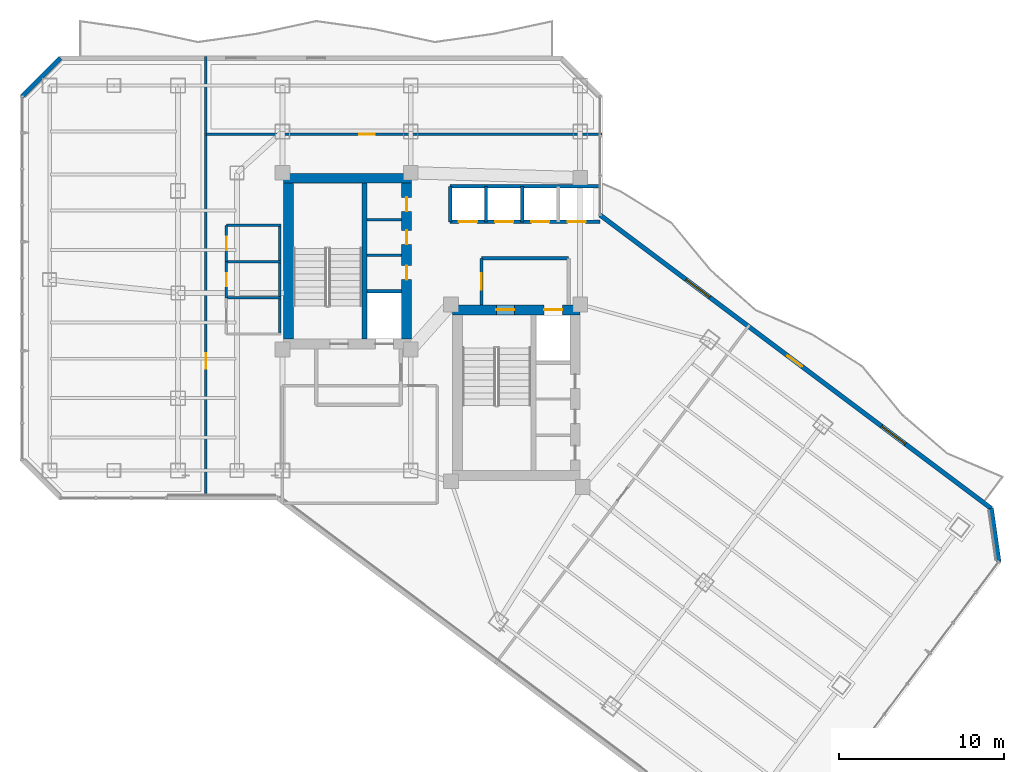
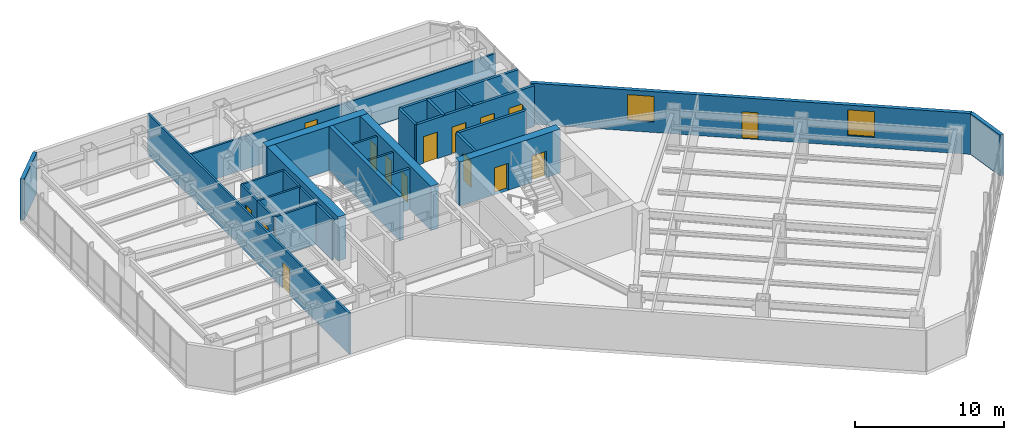
# One storey, part 23 of 29: 26 walls, 15 doors, 2 windows, 17 openings.
"""IFC4 building model written with IfcOpenShell, lengths in metres."""

import ifcopenshell
import ifcopenshell.guid

model = None  # the IFC model being written
_history = None  # IfcOwnerHistory: only IFC2X3 demands one
_inside = {}  # id of a spatial element -> (the spatial element, [elements in it])
_under = {}  # id of a project, library or spatial element -> (it, [spatial elements below it])
_declared = {}  # id of a project -> (the project, [libraries it declares])
_typed = {}  # id of a type object -> (the type object, [elements of that type])
_made_of = {}  # id of a material, layer set ... -> (it, [elements and type objects made of it])


def new_model(schema):
    """Start an empty IFC model of exactly this schema.

    Asked for "IFC4X3", IfcOpenShell would pick the latest addendum, in which some entities
    have other attributes; the version numbers below select the first issue.
    IFC2X3 requires an IfcOwnerHistory on every rooted entity: one is made here for all.
    """
    global model, _history
    if schema == "IFC4X3":
        model = ifcopenshell.file(schema_version=(4, 3, 0, 0))
    else:
        model = ifcopenshell.file(schema=schema)
    _inside.clear()
    _under.clear()
    _declared.clear()
    _typed.clear()
    _made_of.clear()
    _history = None
    if model.schema == "IFC2X3":
        org = make("IfcOrganization", Name="unknown")
        user = make(
            "IfcPersonAndOrganization",
            ThePerson=make("IfcPerson", FamilyName="unknown"),
            TheOrganization=org,
        )
        app = make(
            "IfcApplication",
            ApplicationDeveloper=org,
            Version="unknown",
            ApplicationFullName="unknown",
            ApplicationIdentifier="unknown",
        )
        _history = make(
            "IfcOwnerHistory",
            OwningUser=user,
            OwningApplication=app,
            ChangeAction="ADDED",
            CreationDate=0,
        )
    return model


def make(cls, **values):
    """One entity of the class cls with the attributes given. An attribute that is None is left unset."""
    return model.create_entity(
        cls, **{name: value for name, value in values.items() if value is not None}
    )


def rooted(cls, **values):
    """An entity with a GlobalId (a new one), such as an element, a storey or a relation."""
    return make(cls, GlobalId=ifcopenshell.guid.new(), OwnerHistory=_history, **values)


def si_unit(unit_type, name, prefix=None):
    """IfcSIUnit, for example si_unit("LENGTHUNIT", "METRE", prefix="MILLI")."""
    return make("IfcSIUnit", UnitType=unit_type, Prefix=prefix, Name=name)


def assignment(units):
    """IfcUnitAssignment: the units of a project."""
    return None if units is None else make("IfcUnitAssignment", Units=units)


def point(xyz):
    """IfcCartesianPoint."""
    return None if xyz is None else make("IfcCartesianPoint", Coordinates=xyz)


def direction(xyz):
    """IfcDirection."""
    return None if xyz is None else make("IfcDirection", DirectionRatios=xyz)


def frame(location, z_axis=None, x_axis=None):
    """IfcAxis2Placement3D, a coordinate frame: its origin and axes. An axis left out is left unset."""
    return make(
        "IfcAxis2Placement3D",
        Location=point(location),
        Axis=direction(z_axis),
        RefDirection=direction(x_axis),
    )


def frame_2d(location, x_axis=None):
    """IfcAxis2Placement2D, a coordinate frame in the plane: its origin and x axis."""
    return make(
        "IfcAxis2Placement2D", Location=point(location), RefDirection=direction(x_axis)
    )


def origin():
    """The frame at (0, 0, 0) with its axes left unset."""
    return frame((0.0, 0.0, 0.0))


def place(relative_to, where):
    """IfcLocalPlacement: puts the frame where relative to a parent placement (None: the world)."""
    return make(
        "IfcLocalPlacement", PlacementRelTo=relative_to, RelativePlacement=where
    )


def context(
    kind, dimensions, precision=None, world=None, true_north=None, identifier=None
):
    """IfcGeometricRepresentationContext, for example the 3D "Model" context."""
    return make(
        "IfcGeometricRepresentationContext",
        ContextIdentifier=identifier,
        ContextType=kind,
        CoordinateSpaceDimension=dimensions,
        Precision=precision,
        WorldCoordinateSystem=world,
        TrueNorth=true_north,
    )


def subcontext(parent, identifier, kind, view, scale=None):
    """IfcGeometricRepresentationSubContext, for example "Body" below "Model"."""
    return make(
        "IfcGeometricRepresentationSubContext",
        ContextIdentifier=identifier,
        ContextType=kind,
        ParentContext=parent,
        TargetScale=scale,
        TargetView=view,
    )


def project(units=None, contexts=None):
    """IfcProject with its units and contexts."""
    return rooted(
        "IfcProject",
        Name="project",
        RepresentationContexts=contexts,
        UnitsInContext=assignment(units),
    )


def spatial(cls, under=None, at=None, **own):
    """A site, building, storey or space (cls), placed at a placement, below another one or the project."""
    s = rooted(cls, ObjectPlacement=at, **own)
    if under is not None:
        _under.setdefault(under.id(), (under, []))[1].append(s)
    return s


def profile(cls, at=None, kind="AREA", **sizes):
    """A parametric profile (cls). Its sizes go by their IFC names, for example OverallWidth=200.0."""
    return make(cls, ProfileType=kind, Position=at, **sizes)


def rectangle(**sizes):
    """IfcRectangleProfileDef."""
    return profile("IfcRectangleProfileDef", **sizes)


def extrude(swept, where, along, depth):
    """IfcExtrudedAreaSolid: the profile swept, set in the frame where, extruded along a direction by depth."""
    return make(
        "IfcExtrudedAreaSolid",
        SweptArea=swept,
        Position=where,
        ExtrudedDirection=direction(along),
        Depth=depth,
    )


def shape(context_of_items, identifier, shape_type, items):
    """IfcShapeRepresentation: the items that make up one representation, for example the "Body"."""
    return make(
        "IfcShapeRepresentation",
        ContextOfItems=context_of_items,
        RepresentationIdentifier=identifier,
        RepresentationType=shape_type,
        Items=items,
    )


def material(Name=None, Category=None):
    """IfcMaterial."""
    return make("IfcMaterial", Name=Name, Category=Category)


def layer(
    of_material, thickness, ventilated=None, Name=None, Category=None, Priority=None
):
    """IfcMaterialLayer: one layer of a wall or slab, of a material (None: an air gap)."""
    return make(
        "IfcMaterialLayer",
        Material=of_material,
        LayerThickness=thickness,
        IsVentilated=ventilated,
        Name=Name,
        Category=Category,
        Priority=Priority,
    )


def layer_set(layers, Name=None):
    """IfcMaterialLayerSet."""
    return make("IfcMaterialLayerSet", MaterialLayers=layers, LayerSetName=Name)


def made_of(thing, what):
    """Note that an element or type object is made of a material, layer set ...; save() writes the relation."""
    if what is not None:
        _made_of.setdefault(what.id(), (what, []))[1].append(thing)
    return thing


def type_object(cls, material=None, **own):
    """A type object (cls), such as IfcWallType, which elements share."""
    return made_of(rooted(cls, **own), material)


def element(
    cls,
    number,
    at=None,
    inside=None,
    cuts=None,
    type_object=None,
    material=None,
    context=None,
    identifier="Body",
    shape_type=None,
    held_by="IfcProductDefinitionShape",
    body=None,
    shapes=None,
    **own,
):
    """One element of the class cls, such as IfcWall. Its Tag is "e" and its number.

    at: its placement. inside: the storey or other place that contains it. cuts: it is an
    opening in that element (IfcRelVoidsElement). A single representation is given by context,
    identifier, shape_type and body (its items); several are given by shapes. held_by: the class
    of the entity that holds the representations. save() writes the other relations.
    """
    e = rooted(cls, Tag="e%d" % number, ObjectPlacement=at, **own)
    if body is not None:
        shapes = [shape(context, identifier, shape_type, body)]
    if shapes is not None:
        e.Representation = make(held_by, Representations=shapes)
    if inside is not None:
        _inside.setdefault(inside.id(), (inside, []))[1].append(e)
    if cuts is not None:
        rooted(
            "IfcRelVoidsElement", RelatingBuildingElement=cuts, RelatedOpeningElement=e
        )
    if type_object is not None:
        _typed.setdefault(type_object.id(), (type_object, []))[1].append(e)
    return made_of(e, material)


def fill(opening, filler):
    """IfcRelFillsElement: the door or window that sits in an opening."""
    return rooted(
        "IfcRelFillsElement",
        RelatingOpeningElement=opening,
        RelatedBuildingElement=filler,
    )


def aggregate(whole, parts):
    """IfcRelAggregates: a whole, such as a stair, and the parts it consists of."""
    return rooted("IfcRelAggregates", RelatingObject=whole, RelatedObjects=parts)


def save(model, path):
    """Write the relations noted so far, then the file.

    IfcRelAggregates (storeys below a building ...), IfcRelContainedInSpatialStructure (elements
    in a storey), IfcRelDefinesByType, IfcRelAssociatesMaterial and IfcRelDeclares: one each for
    every whole, place, type object, material and project.
    """
    for whole, parts in _under.values():
        aggregate(whole, parts)
    for where, things in _inside.values():
        rooted(
            "IfcRelContainedInSpatialStructure",
            RelatedElements=things,
            RelatingStructure=where,
        )
    for kind, things in _typed.values():
        rooted("IfcRelDefinesByType", RelatedObjects=things, RelatingType=kind)
    for what, things in _made_of.values():
        rooted("IfcRelAssociatesMaterial", RelatedObjects=things, RelatingMaterial=what)
    for by, libraries in _declared.values():
        rooted("IfcRelDeclares", RelatingContext=by, RelatedDefinitions=libraries)
    model.write(path)


model = new_model("IFC4")

# Units and contexts
model_context = context("Model", 3, precision=1e-05, world=origin(), true_north=direction((0.0, 1.0)))
body_context = subcontext(model_context, "Body", "Model", "MODEL_VIEW")
ifc_project = project(units=[si_unit("LENGTHUNIT", "METRE"), si_unit("AREAUNIT", "SQUARE_METRE"), si_unit("VOLUMEUNIT", "CUBIC_METRE"), si_unit("PLANEANGLEUNIT", "RADIAN"), si_unit("MASSUNIT", "GRAM", prefix="KILO")], contexts=[model_context])

# Site, building, storey
site_placement = place(None, origin())
site = spatial("IfcSite", under=ifc_project, at=site_placement, CompositionType="ELEMENT")
building_placement = place(site_placement, origin())
building = spatial("IfcBuilding", under=site, at=building_placement, Name="Hatsunagi Terrace Concourse", CompositionType="ELEMENT")
storey_placement = place(building_placement, frame((0.0, 0.0, 126.449951171875)))
storey = spatial("IfcBuildingStorey", under=building, at=storey_placement, Name="L33", CompositionType="ELEMENT", Elevation=126.449951171875)

# Walls
ifc_material_1 = material(Name="Concrete Fc48", Category="concrete")
ifc_layer_1 = layer(ifc_material_1, 0.60009765625)
ifc_layer_set_1 = layer_set([ifc_layer_1], Name="CoreShearWall_Fc48_600")
wall_type_1 = type_object("IfcWallType", Name="CoreShearWall_Fc48_600", PredefinedType="SHEAR", material=ifc_layer_set_1)
wall_1_placement = place(storey_placement, frame((25.6201171875, 42.969970703125, 0.0), z_axis=(0.0, 0.0, 1.0), x_axis=(1.0, 0.0, 0.0)))
element("IfcWall", 1, at=wall_1_placement, inside=storey, type_object=wall_type_1, Name="Core A Shear Wall N L33", PredefinedType="SHEAR", context=body_context, shape_type="SweptSolid", body=[
    extrude(rectangle(XDim=7.77978515625, YDim=0.60009765625, at=frame_2d((3.889892578125, 0.0))), origin(), (0.0, 0.0, 1.0), 3.60009765625),
])
wall_2_placement = place(storey_placement, frame((25.919921875, 33.18994140625, 0.0), z_axis=(0.0, 0.0, 1.0), x_axis=(0.0, 1.0, 0.0)))
element("IfcWall", 2, at=wall_2_placement, inside=storey, type_object=wall_type_1, Name="Core A Shear Wall W L33", PredefinedType="SHEAR", context=body_context, shape_type="SweptSolid", body=[
    extrude(rectangle(XDim=9.47998046875, YDim=0.60009765625, at=frame_2d((4.739990234375, 0.0))), origin(), (0.0, 0.0, 1.0), 3.60009765625),
])

# Wall, openings, doors
wall_3_placement = place(storey_placement, frame((33.10009765625, 33.18994140625, 0.0), z_axis=(0.0, 0.0, 1.0), x_axis=(0.0, 1.0, 0.0)))
wall_3 = element("IfcWall", 3, at=wall_3_placement, inside=storey, type_object=wall_type_1, Name="Core A Shear Wall E L33", PredefinedType="SHEAR", context=body_context, shape_type="SweptSolid", body=[
    extrude(rectangle(XDim=9.47998046875, YDim=0.60009765625, at=frame_2d((4.739990234375, 0.0))), origin(), (0.0, 0.0, 1.0), 3.60009765625),
])
opening_1_placement = place(wall_3_placement, frame((3.610107421875, 0.0, 0.0)))
opening_1 = element("IfcOpeningElement", 4, at=opening_1_placement, cuts=wall_3, Name="Opening DR-085", PredefinedType="OPENING", context=body_context, shape_type="SweptSolid", body=[
    extrude(rectangle(XDim=0.85009765625, YDim=2.080078125, at=frame_2d((0.425048828125, 1.0400390625))), frame((0.0, 0.31005859375, 0.0), z_axis=(0.0, -1.0, 0.0), x_axis=(1.0, 0.0, 0.0)), (0.0, 0.0, 1.0), 0.6201171875),
])
opening_2_placement = place(wall_3_placement, frame((5.760009765625, 0.0, 0.0)))
opening_2 = element("IfcOpeningElement", 5, at=opening_2_placement, cuts=wall_3, Name="Opening DR-085", PredefinedType="OPENING", context=body_context, shape_type="SweptSolid", body=[
    extrude(rectangle(XDim=0.85009765625, YDim=2.080078125, at=frame_2d((0.425048828125, 1.0400390625))), frame((0.0, 0.31005859375, 0.0), z_axis=(0.0, -1.0, 0.0), x_axis=(1.0, 0.0, 0.0)), (0.0, 0.0, 1.0), 0.6201171875),
])
opening_3_placement = place(wall_3_placement, frame((7.760009765625, 0.0, 0.0)))
opening_3 = element("IfcOpeningElement", 6, at=opening_3_placement, cuts=wall_3, Name="Opening DR-085", PredefinedType="OPENING", context=body_context, shape_type="SweptSolid", body=[
    extrude(rectangle(XDim=0.85009765625, YDim=2.080078125, at=frame_2d((0.425048828125, 1.0400390625))), frame((0.0, 0.31005859375, 0.0), z_axis=(0.0, -1.0, 0.0), x_axis=(1.0, 0.0, 0.0)), (0.0, 0.0, 1.0), 0.6201171875),
])
ifc_material_2 = material(Name="Painted steel", Category="steel")
door_type_1 = type_object("IfcDoorType", Name="RiserAccessDoor_EI60_850", OperationType="NOTDEFINED", PredefinedType="DOOR", material=ifc_material_2)
door_1_placement = place(opening_1_placement, origin())
door_1 = element("IfcDoor", 7, at=door_1_placement, inside=storey, type_object=door_type_1, Name="Core A Riser Door L33-1", OperationType="SINGLE_SWING_LEFT", OverallHeight=2.080078125, OverallWidth=0.85009765625, PredefinedType="DOOR", context=body_context, shape_type="SweptSolid", body=[
    extrude(rectangle(XDim=0.85009765625, YDim=2.080078125, at=frame_2d((0.425048828125, 1.0400390625))), frame((0.0, 0.02490234375, 0.0), z_axis=(0.0, -1.0, 0.0), x_axis=(1.0, 0.0, 0.0)), (0.0, 0.0, 1.0), 0.050048828125),
])
fill(opening_1, door_1)
door_2_placement = place(opening_2_placement, origin())
door_2 = element("IfcDoor", 8, at=door_2_placement, inside=storey, type_object=door_type_1, Name="Core A Riser Door L33-2", OperationType="SINGLE_SWING_LEFT", OverallHeight=2.080078125, OverallWidth=0.85009765625, PredefinedType="DOOR", context=body_context, shape_type="SweptSolid", body=[
    extrude(rectangle(XDim=0.85009765625, YDim=2.080078125, at=frame_2d((0.425048828125, 1.0400390625))), frame((0.0, 0.02490234375, 0.0), z_axis=(0.0, -1.0, 0.0), x_axis=(1.0, 0.0, 0.0)), (0.0, 0.0, 1.0), 0.050048828125),
])
fill(opening_2, door_2)
door_3_placement = place(opening_3_placement, origin())
door_3 = element("IfcDoor", 9, at=door_3_placement, inside=storey, type_object=door_type_1, Name="Core A Riser Door L33-3", OperationType="SINGLE_SWING_LEFT", OverallHeight=2.080078125, OverallWidth=0.85009765625, PredefinedType="DOOR", context=body_context, shape_type="SweptSolid", body=[
    extrude(rectangle(XDim=0.85009765625, YDim=2.080078125, at=frame_2d((0.425048828125, 1.0400390625))), frame((0.0, 0.02490234375, 0.0), z_axis=(0.0, -1.0, 0.0), x_axis=(1.0, 0.0, 0.0)), (0.0, 0.0, 1.0), 0.050048828125),
])
fill(opening_3, door_3)

wall_4_placement = place(storey_placement, frame((35.889892578125, 34.969970703125, 0.0), z_axis=(0.0, 0.0, 1.0), x_axis=(1.0, 0.0, 0.0)))
wall_4 = element("IfcWall", 10, at=wall_4_placement, inside=storey, type_object=wall_type_1, Name="Core B Shear Wall N L33", PredefinedType="SHEAR", context=body_context, shape_type="SweptSolid", body=[
    extrude(rectangle(XDim=7.760009765625, YDim=0.60009765625, at=frame_2d((3.8798828125, 0.0))), origin(), (0.0, 0.0, 1.0), 3.60009765625),
])
opening_4_placement = place(wall_4_placement, frame((2.659912109375, 0.0, 0.0)))
opening_4 = element("IfcOpeningElement", 11, at=opening_4_placement, cuts=wall_4, Name="Opening DR-110S", PredefinedType="OPENING", context=body_context, shape_type="SweptSolid", body=[
    extrude(rectangle(XDim=1.10009765625, YDim=2.199951171875, at=frame_2d((0.550048828125, 1.10009765625))), frame((0.0, 0.31005859375, 0.0), z_axis=(0.0, -1.0, 0.0), x_axis=(1.0, 0.0, 0.0)), (0.0, 0.0, 1.0), 0.6201171875),
])
opening_5_placement = place(wall_4_placement, frame((5.56005859375, 0.0, 0.0)))
opening_5 = element("IfcOpeningElement", 12, at=opening_5_placement, cuts=wall_4, Name="Opening LD-02", PredefinedType="OPENING", context=body_context, shape_type="SweptSolid", body=[
    extrude(rectangle(XDim=1.1201171875, YDim=2.14990234375, at=frame_2d((0.56005859375, 1.074951171875))), frame((0.0, 0.31005859375, 0.0), z_axis=(0.0, -1.0, 0.0), x_axis=(1.0, 0.0, 0.0)), (0.0, 0.0, 1.0), 0.6201171875),
])
ifc_material_3 = material(Name="Stainless steel", Category="steel")
door_type_2 = type_object("IfcDoorType", Name="LiftLandingDoor_LD02", OperationType="SLIDING_TO_RIGHT", PredefinedType="USERDEFINED", material=ifc_material_3)
door_4_placement = place(opening_5_placement, origin())
door_4 = element("IfcDoor", 13, at=door_4_placement, inside=storey, type_object=door_type_2, Name="Lift landing door FF-02 L33", ObjectType="SLIDING_LANDING_DOOR", OperationType="SLIDING_TO_RIGHT", OverallHeight=2.14990234375, OverallWidth=1.1201171875, PredefinedType="USERDEFINED", context=body_context, shape_type="SweptSolid", body=[
    extrude(rectangle(XDim=1.1201171875, YDim=2.14990234375, at=frame_2d((0.56005859375, 1.074951171875))), frame((0.0, 0.02490234375, 0.0), z_axis=(0.0, -1.0, 0.0), x_axis=(1.0, 0.0, 0.0)), (0.0, 0.0, 1.0), 0.050048828125),
])
fill(opening_5, door_4)
ifc_material_4 = material(Name="Painted steel", Category="steel")
door_type_3 = type_object("IfcDoorType", Name="StairFireDoor_EI60_1100", OperationType="NOTDEFINED", PredefinedType="DOOR", material=ifc_material_4)
door_5_placement = place(opening_4_placement, origin())
door_5 = element("IfcDoor", 14, at=door_5_placement, inside=storey, type_object=door_type_3, Name="Stair ST-B Exit Door L33", OperationType="SINGLE_SWING_RIGHT", OverallHeight=2.199951171875, OverallWidth=1.10009765625, PredefinedType="DOOR", context=body_context, shape_type="SweptSolid", body=[
    extrude(rectangle(XDim=1.10009765625, YDim=2.199951171875, at=frame_2d((0.550048828125, 1.10009765625))), frame((0.0, 0.02490234375, 0.0), z_axis=(0.0, -1.0, 0.0), x_axis=(1.0, 0.0, 0.0)), (0.0, 0.0, 1.0), 0.050048828125),
])
fill(opening_4, door_5)

# Walls
ifc_material_5 = material(Name="Concrete Fc48", Category="concrete")
ifc_layer_2 = layer(ifc_material_5, 0.300048828125)
ifc_layer_set_2 = layer_set([ifc_layer_2], Name="CoreStairDivider_Fc48_300")
wall_type_2 = type_object("IfcWallType", Name="CoreStairDivider_Fc48_300", PredefinedType="SHEAR", material=ifc_layer_set_2)
wall_5_placement = place(storey_placement, frame((30.5400390625, 33.18994140625, 0.0), z_axis=(0.0, 0.0, 1.0), x_axis=(0.0, 1.0, 0.0)))
element("IfcWall", 15, at=wall_5_placement, inside=storey, type_object=wall_type_2, Name="Core A Shear Wall D L33", PredefinedType="SHEAR", context=body_context, shape_type="SweptSolid", body=[
    extrude(rectangle(XDim=9.47998046875, YDim=0.300048828125, at=frame_2d((4.739990234375, 0.0))), origin(), (0.0, 0.0, 1.0), 3.60009765625),
])
ifc_material_6 = material(Name="Acoustic mineral board", Category="gypsum")
ifc_layer_3 = layer(ifc_material_6, 0.14990234375)
ifc_layer_set_3 = layer_set([ifc_layer_3], Name="PartitionWall_EI60_150")
wall_type_3 = type_object("IfcWallType", Name="PartitionWall_EI60_150", PredefinedType="PARTITIONING", material=ifc_layer_set_3)
for number, where, z_axis, x_axis, name in (
    (16, (30.699951171875, 38.300048828125, 0.0), (0.0, 0.0, 1.0), (1.0, 0.0, 0.0), "Interior Partition IW-L33-002"),
    (17, (30.699951171875, 40.449951171875, 0.0), (0.0, 0.0, 1.0), (1.0, 0.0, 0.0), "Interior Partition IW-L33-003"),
):
    element("IfcWall", number, at=place(storey_placement, frame(where, z_axis=z_axis, x_axis=x_axis)), inside=storey, type_object=wall_type_3, Name=name, PredefinedType="PARTITIONING", context=body_context, shape_type="SweptSolid", body=[
        extrude(rectangle(XDim=2.10009765625, YDim=0.14990234375, at=frame_2d((1.050048828125, 0.0))), origin(), (0.0, 0.0, 1.0), 3.340087890625),
    ])
wall_6_placement = place(storey_placement, frame((22.14990234375, 40.10009765625, 0.0), z_axis=(0.0, 0.0, 1.0), x_axis=(1.0, 0.0, 0.0)))
element("IfcWall", 18, at=wall_6_placement, inside=storey, type_object=wall_type_3, Name="Interior Partition IW-L33-020", PredefinedType="PARTITIONING", context=body_context, shape_type="SweptSolid", body=[
    extrude(rectangle(XDim=3.300048828125, YDim=0.14990234375, at=frame_2d((1.64990234375, 0.0))), origin(), (0.0, 0.0, 1.0), 3.340087890625),
])
wall_7_placement = place(storey_placement, frame((25.39990234375, 33.5, 0.0), z_axis=(0.0, 0.0, 1.0), x_axis=(0.0, 1.0, 0.0)))
element("IfcWall", 19, at=wall_7_placement, inside=storey, type_object=wall_type_3, Name="Interior Partition IW-L33-021", PredefinedType="PARTITIONING", context=body_context, shape_type="SweptSolid", body=[
    extrude(rectangle(XDim=6.60009765625, YDim=0.14990234375, at=frame_2d((3.300048828125, 0.0))), origin(), (0.0, 0.0, 1.0), 3.340087890625),
])
for number, where, z_axis, x_axis, name in (
    (20, (22.14990234375, 35.699951171875, 0.0), (0.0, 0.0, 1.0), (1.0, 0.0, 0.0), "Interior Partition IW-L33-022"),
    (21, (22.14990234375, 37.89990234375, 0.0), (0.0, 0.0, 1.0), (1.0, 0.0, 0.0), "Interior Partition IW-L33-023"),
):
    element("IfcWall", number, at=place(storey_placement, frame(where, z_axis=z_axis, x_axis=x_axis)), inside=storey, type_object=wall_type_3, Name=name, PredefinedType="PARTITIONING", context=body_context, shape_type="SweptSolid", body=[
        extrude(rectangle(XDim=3.300048828125, YDim=0.14990234375, at=frame_2d((1.64990234375, 0.0))), origin(), (0.0, 0.0, 1.0), 3.340087890625),
    ])

# Wall, opening, door
wall_8_placement = place(storey_placement, frame((22.14990234375, 35.699951171875, 0.0), z_axis=(0.0, 0.0, 1.0), x_axis=(0.0, 1.0, 0.0)))
wall_8 = element("IfcWall", 22, at=wall_8_placement, inside=storey, type_object=wall_type_3, Name="Interior Partition IW-L33-025", PredefinedType="PARTITIONING", context=body_context, shape_type="SweptSolid", body=[
    extrude(rectangle(XDim=2.199951171875, YDim=0.14990234375, at=frame_2d((1.10009765625, 0.0))), origin(), (0.0, 0.0, 1.0), 3.340087890625),
])
opening_6_placement = place(wall_8_placement, frame((0.699951171875, 0.0, 0.0)))
opening_6 = element("IfcOpeningElement", 23, at=opening_6_placement, cuts=wall_8, Name="Opening DR-080", PredefinedType="OPENING", context=body_context, shape_type="SweptSolid", body=[
    extrude(rectangle(XDim=0.800048828125, YDim=2.06005859375, at=frame_2d((0.39990234375, 1.030029296875))), frame((0.0, 0.0849609375, 0.0), z_axis=(0.0, -1.0, 0.0), x_axis=(1.0, 0.0, 0.0)), (0.0, 0.0, 1.0), 0.169921875),
])
ifc_material_7 = material(Name="Hardwood timber", Category="wood")
door_type_4 = type_object("IfcDoorType", Name="BathroomDoor_800", OperationType="NOTDEFINED", PredefinedType="DOOR", material=ifc_material_7)
door_6_placement = place(opening_6_placement, origin())
door_6 = element("IfcDoor", 24, at=door_6_placement, inside=storey, type_object=door_type_4, Name="Female Restroom Door L33", OperationType="SINGLE_SWING_RIGHT", OverallHeight=2.06005859375, OverallWidth=0.800048828125, PredefinedType="DOOR", context=body_context, shape_type="SweptSolid", body=[
    extrude(rectangle(XDim=0.800048828125, YDim=2.06005859375, at=frame_2d((0.39990234375, 1.030029296875))), frame((0.0, 0.02490234375, 0.0), z_axis=(0.0, -1.0, 0.0), x_axis=(1.0, 0.0, 0.0)), (0.0, 0.0, 1.0), 0.050048828125),
])
fill(opening_6, door_6)

wall_9_placement = place(storey_placement, frame((22.14990234375, 37.89990234375, 0.0), z_axis=(0.0, 0.0, 1.0), x_axis=(0.0, 1.0, 0.0)))
wall_9 = element("IfcWall", 25, at=wall_9_placement, inside=storey, type_object=wall_type_3, Name="Interior Partition IW-L33-026", PredefinedType="PARTITIONING", context=body_context, shape_type="SweptSolid", body=[
    extrude(rectangle(XDim=2.2001953125, YDim=0.14990234375, at=frame_2d((1.10009765625, 0.0))), origin(), (0.0, 0.0, 1.0), 3.340087890625),
])
opening_7_placement = place(wall_9_placement, frame((0.699951171875, 0.0, 0.0)))
opening_7 = element("IfcOpeningElement", 26, at=opening_7_placement, cuts=wall_9, Name="Opening DR-080", PredefinedType="OPENING", context=body_context, shape_type="SweptSolid", body=[
    extrude(rectangle(XDim=0.800048828125, YDim=2.06005859375, at=frame_2d((0.39990234375, 1.030029296875))), frame((0.0, 0.0849609375, 0.0), z_axis=(0.0, -1.0, 0.0), x_axis=(1.0, 0.0, 0.0)), (0.0, 0.0, 1.0), 0.169921875),
])
door_7_placement = place(opening_7_placement, origin())
door_7 = element("IfcDoor", 27, at=door_7_placement, inside=storey, type_object=door_type_4, Name="Male Restroom Door L33", OperationType="SINGLE_SWING_RIGHT", OverallHeight=2.06005859375, OverallWidth=0.800048828125, PredefinedType="DOOR", context=body_context, shape_type="SweptSolid", body=[
    extrude(rectangle(XDim=0.800048828125, YDim=2.06005859375, at=frame_2d((0.39990234375, 1.030029296875))), frame((0.0, 0.02490234375, 0.0), z_axis=(0.0, -1.0, 0.0), x_axis=(1.0, 0.0, 0.0)), (0.0, 0.0, 1.0), 0.050048828125),
])
fill(opening_7, door_7)

wall_10_placement = place(storey_placement, frame((20.89990234375, 23.43994140625, 0.0), z_axis=(0.0, 0.0, 1.0), x_axis=(0.0, 1.0, 0.0)))
wall_10 = element("IfcWall", 28, at=wall_10_placement, inside=storey, type_object=wall_type_3, Name="Interior Partition IW-L33-031", PredefinedType="PARTITIONING", context=body_context, shape_type="SweptSolid", body=[
    extrude(rectangle(XDim=26.920166015625, YDim=0.14990234375, at=frame_2d((13.4599609375, 0.0))), origin(), (0.0, 0.0, 1.0), 3.340087890625),
])
opening_8_placement = place(wall_10_placement, frame((7.943115234375, 0.0, 0.0)))
opening_8 = element("IfcOpeningElement", 29, at=opening_8_placement, cuts=wall_10, Name="Opening DR-095", PredefinedType="OPENING", context=body_context, shape_type="SweptSolid", body=[
    extrude(rectangle(XDim=0.949951171875, YDim=2.14990234375, at=frame_2d((0.47509765625, 1.074951171875))), frame((0.0, 0.0849609375, 0.0), z_axis=(0.0, -1.0, 0.0), x_axis=(1.0, 0.0, 0.0)), (0.0, 0.0, 1.0), 0.169921875),
])
ifc_material_8 = material(Name="Hardwood timber", Category="wood")
door_type_5 = type_object("IfcDoorType", Name="InteriorSuiteDoor_EI30_950", OperationType="NOTDEFINED", PredefinedType="DOOR", material=ifc_material_8)
door_8_placement = place(opening_8_placement, origin())
door_8 = element("IfcDoor", 30, at=door_8_placement, inside=storey, type_object=door_type_5, Name="Open Plan Office L33-OW1 Door", OperationType="SINGLE_SWING_RIGHT", OverallHeight=2.14990234375, OverallWidth=0.949951171875, PredefinedType="DOOR", context=body_context, shape_type="SweptSolid", body=[
    extrude(rectangle(XDim=0.949951171875, YDim=2.14990234375, at=frame_2d((0.47509765625, 1.074951171875))), frame((0.0, 0.02490234375, 0.0), z_axis=(0.0, -1.0, 0.0), x_axis=(1.0, 0.0, 0.0)), (0.0, 0.0, 1.0), 0.050048828125),
])
fill(opening_8, door_8)

wall_11_placement = place(storey_placement, frame((20.89990234375, 45.64990234375, 0.0), z_axis=(0.0, 0.0, 1.0), x_axis=(1.0, 0.0, 0.0)))
wall_11 = element("IfcWall", 31, at=wall_11_placement, inside=storey, type_object=wall_type_3, Name="Interior Partition IW-L33-032", PredefinedType="PARTITIONING", context=body_context, shape_type="SweptSolid", body=[
    extrude(rectangle(XDim=24.06005859375, YDim=0.14990234375, at=frame_2d((12.030029296875, 0.0))), origin(), (0.0, 0.0, 1.0), 2.695068359375),
])
opening_9_placement = place(wall_11_placement, frame((9.320068359375, 0.0, 0.0)))
opening_9 = element("IfcOpeningElement", 32, at=opening_9_placement, cuts=wall_11, Name="Opening DR-095", PredefinedType="OPENING", context=body_context, shape_type="SweptSolid", body=[
    extrude(rectangle(XDim=0.949951171875, YDim=2.14990234375, at=frame_2d((0.47509765625, 1.074951171875))), frame((0.0, 0.0849609375, 0.0), z_axis=(0.0, -1.0, 0.0), x_axis=(1.0, 0.0, 0.0)), (0.0, 0.0, 1.0), 0.169921875),
])
door_9_placement = place(opening_9_placement, origin())
door_9 = element("IfcDoor", 33, at=door_9_placement, inside=storey, type_object=door_type_5, Name="Collaboration Lounge L33-ON1 Door", OperationType="SINGLE_SWING_RIGHT", OverallHeight=2.14990234375, OverallWidth=0.949951171875, PredefinedType="DOOR", context=body_context, shape_type="SweptSolid", body=[
    extrude(rectangle(XDim=0.949951171875, YDim=2.14990234375, at=frame_2d((0.47509765625, 1.074951171875))), frame((0.0, 0.02490234375, 0.0), z_axis=(0.0, -1.0, 0.0), x_axis=(1.0, 0.0, 0.0)), (0.0, 0.0, 1.0), 0.050048828125),
])
fill(opening_9, door_9)

# Walls
ifc_material_9 = material(Name="Acoustic mineral board", Category="gypsum")
ifc_layer_4 = layer(ifc_material_9, 0.199951171875)
ifc_layer_set_4 = layer_set([ifc_layer_4], Name="ShaftWall_EI120_200")
wall_type_4 = type_object("IfcWallType", Name="ShaftWall_EI120_200", PredefinedType="STANDARD", material=ifc_layer_set_4)
wall_12_placement = place(storey_placement, frame((30.699951171875, 36.10009765625, 0.0), z_axis=(0.0, 0.0, 1.0), x_axis=(1.0, 0.0, 0.0)))
element("IfcWall", 34, at=wall_12_placement, inside=storey, type_object=wall_type_4, Name="Interior Partition IW-L33-001", PredefinedType="STANDARD", context=body_context, shape_type="SweptSolid", body=[
    extrude(rectangle(XDim=2.10009765625, YDim=0.199951171875, at=frame_2d((1.050048828125, 0.0))), origin(), (0.0, 0.0, 1.0), 3.340087890625),
])
wall_13_placement = place(storey_placement, frame((37.64990234375, 38.10009765625, 0.0), z_axis=(0.0, 0.0, 1.0), x_axis=(1.0, 0.0, 0.0)))
element("IfcWall", 35, at=wall_13_placement, inside=storey, type_object=wall_type_4, Name="Interior Partition IW-L33-010", PredefinedType="STANDARD", context=body_context, shape_type="SweptSolid", body=[
    extrude(rectangle(XDim=5.300048828125, YDim=0.199951171875, at=frame_2d((2.64990234375, 0.0))), origin(), (0.0, 0.0, 1.0), 3.340087890625),
])

# Wall, opening, door
wall_14_placement = place(storey_placement, frame((37.64990234375, 35.27001953125, 0.0), z_axis=(0.0, 0.0, 1.0), x_axis=(0.0, 1.0, 0.0)))
wall_14 = element("IfcWall", 36, at=wall_14_placement, inside=storey, type_object=wall_type_4, Name="Interior Partition IW-L33-012", PredefinedType="STANDARD", context=body_context, shape_type="SweptSolid", body=[
    extrude(rectangle(XDim=2.830078125, YDim=0.199951171875, at=frame_2d((1.4150390625, 0.0))), origin(), (0.0, 0.0, 1.0), 3.340087890625),
])
opening_10_placement = place(wall_14_placement, frame((0.9150390625, 0.0, 0.0)))
opening_10 = element("IfcOpeningElement", 37, at=opening_10_placement, cuts=wall_14, Name="Opening DR-100F", PredefinedType="OPENING", context=body_context, shape_type="SweptSolid", body=[
    extrude(rectangle(XDim=1.0, YDim=2.199951171875, at=frame_2d((0.5, 1.10009765625))), frame((0.0, 0.10986328125, 0.0), z_axis=(0.0, -1.0, 0.0), x_axis=(1.0, 0.0, 0.0)), (0.0, 0.0, 1.0), 0.219970703125),
])
ifc_material_10 = material(Name="Painted steel", Category="steel")
door_type_6 = type_object("IfcDoorType", Name="FireDoor_EI60_1000", OperationType="NOTDEFINED", PredefinedType="DOOR", material=ifc_material_10)
door_10_placement = place(opening_10_placement, origin())
door_10 = element("IfcDoor", 38, at=door_10_placement, inside=storey, type_object=door_type_6, Name="Firefighting Lobby B Door L33", OperationType="SINGLE_SWING_RIGHT", OverallHeight=2.199951171875, OverallWidth=1.0, PredefinedType="DOOR", context=body_context, shape_type="SweptSolid", body=[
    extrude(rectangle(XDim=1.0, YDim=2.199951171875, at=frame_2d((0.5, 1.10009765625))), frame((0.0, 0.02490234375, 0.0), z_axis=(0.0, -1.0, 0.0), x_axis=(1.0, 0.0, 0.0)), (0.0, 0.0, 1.0), 0.050048828125),
])
fill(opening_10, door_10)

# Walls
wall_15_placement = place(storey_placement, frame((35.75, 42.47998046875, 0.0), z_axis=(0.0, 0.0, 1.0), x_axis=(1.0, 0.0, 0.0)))
element("IfcWall", 39, at=wall_15_placement, inside=storey, type_object=wall_type_4, Name="Interior Partition IW-L33-013", PredefinedType="STANDARD", context=body_context, shape_type="SweptSolid", body=[
    extrude(rectangle(XDim=9.110107421875, YDim=0.199951171875, at=frame_2d((4.55517578125, 0.0))), origin(), (0.0, 0.0, 1.0), 3.340087890625),
])
for number, where, z_axis, x_axis, name in (
    (40, (35.75, 40.320068359375, 0.0), (0.0, 0.0, 1.0), (0.0, 1.0, 0.0), "Interior Partition IW-L33-014"),
    (41, (37.919921875, 40.320068359375, 0.0), (0.0, 0.0, 1.0), (0.0, 1.0, 0.0), "Interior Partition IW-L33-015"),
    (42, (40.1201171875, 40.320068359375, 0.0), (0.0, 0.0, 1.0), (0.0, 1.0, 0.0), "Interior Partition IW-L33-016"),
):
    element("IfcWall", number, at=place(storey_placement, frame(where, z_axis=z_axis, x_axis=x_axis)), inside=storey, type_object=wall_type_4, Name=name, PredefinedType="STANDARD", context=body_context, shape_type="SweptSolid", body=[
        extrude(rectangle(XDim=2.159912109375, YDim=0.199951171875, at=frame_2d((1.080078125, 0.0))), origin(), (0.0, 0.0, 1.0), 3.340087890625),
    ])

# Wall, openings, doors
wall_16_placement = place(storey_placement, frame((35.75, 40.320068359375, 0.0), z_axis=(0.0, 0.0, 1.0), x_axis=(1.0, 0.0, 0.0)))
wall_16 = element("IfcWall", 43, at=wall_16_placement, inside=storey, type_object=wall_type_4, Name="Interior Partition IW-L33-018", PredefinedType="STANDARD", context=body_context, shape_type="SweptSolid", body=[
    extrude(rectangle(XDim=9.110107421875, YDim=0.199951171875, at=frame_2d((4.55517578125, 0.0))), origin(), (0.0, 0.0, 1.0), 3.340087890625),
])
opening_11_placement = place(wall_16_placement, frame((0.530029296875, 0.0, 0.0)))
opening_11 = element("IfcOpeningElement", 44, at=opening_11_placement, cuts=wall_16, Name="Opening LD-04", PredefinedType="OPENING", context=body_context, shape_type="SweptSolid", body=[
    extrude(rectangle(XDim=1.10009765625, YDim=2.179931640625, at=frame_2d((0.550048828125, 1.08984375))), frame((0.0, 0.10986328125, 0.0), z_axis=(0.0, -1.0, 0.0), x_axis=(1.0, 0.0, 0.0)), (0.0, 0.0, 1.0), 0.219970703125),
])
opening_12_placement = place(wall_16_placement, frame((2.72998046875, 0.0, 0.0)))
opening_12 = element("IfcOpeningElement", 45, at=opening_12_placement, cuts=wall_16, Name="Opening LD-04", PredefinedType="OPENING", context=body_context, shape_type="SweptSolid", body=[
    extrude(rectangle(XDim=1.10009765625, YDim=2.179931640625, at=frame_2d((0.550048828125, 1.08984375))), frame((0.0, 0.10986328125, 0.0), z_axis=(0.0, -1.0, 0.0), x_axis=(1.0, 0.0, 0.0)), (0.0, 0.0, 1.0), 0.219970703125),
])
opening_13_placement = place(wall_16_placement, frame((4.929931640625, 0.0, 0.0)))
opening_13 = element("IfcOpeningElement", 46, at=opening_13_placement, cuts=wall_16, Name="Opening LD-04", PredefinedType="OPENING", context=body_context, shape_type="SweptSolid", body=[
    extrude(rectangle(XDim=1.10009765625, YDim=2.179931640625, at=frame_2d((0.550048828125, 1.08984375))), frame((0.0, 0.10986328125, 0.0), z_axis=(0.0, -1.0, 0.0), x_axis=(1.0, 0.0, 0.0)), (0.0, 0.0, 1.0), 0.219970703125),
])
opening_14_placement = place(wall_16_placement, frame((7.1298828125, 0.0, 0.0)))
opening_14 = element("IfcOpeningElement", 47, at=opening_14_placement, cuts=wall_16, Name="Opening LD-04", PredefinedType="OPENING", context=body_context, shape_type="SweptSolid", body=[
    extrude(rectangle(XDim=1.10009765625, YDim=2.179931640625, at=frame_2d((0.550048828125, 1.08984375))), frame((0.0, 0.10986328125, 0.0), z_axis=(0.0, -1.0, 0.0), x_axis=(1.0, 0.0, 0.0)), (0.0, 0.0, 1.0), 0.219970703125),
])
ifc_material_11 = material(Name="Stainless steel", Category="steel")
door_type_7 = type_object("IfcDoorType", Name="LiftLandingDoor_LD04", OperationType="SLIDING_TO_RIGHT", PredefinedType="USERDEFINED", material=ifc_material_11)
door_11_placement = place(opening_11_placement, origin())
door_11 = element("IfcDoor", 48, at=door_11_placement, inside=storey, type_object=door_type_7, Name="Lift landing door PL-05 L33", ObjectType="SLIDING_LANDING_DOOR", OperationType="SLIDING_TO_RIGHT", OverallHeight=2.179931640625, OverallWidth=1.10009765625, PredefinedType="USERDEFINED", context=body_context, shape_type="SweptSolid", body=[
    extrude(rectangle(XDim=1.10009765625, YDim=2.179931640625, at=frame_2d((0.550048828125, 1.08984375))), frame((0.0, 0.02490234375, 0.0), z_axis=(0.0, -1.0, 0.0), x_axis=(1.0, 0.0, 0.0)), (0.0, 0.0, 1.0), 0.050048828125),
])
fill(opening_11, door_11)
door_12_placement = place(opening_12_placement, origin())
door_12 = element("IfcDoor", 49, at=door_12_placement, inside=storey, type_object=door_type_7, Name="Lift landing door PL-06 L33", ObjectType="SLIDING_LANDING_DOOR", OperationType="SLIDING_TO_RIGHT", OverallHeight=2.179931640625, OverallWidth=1.10009765625, PredefinedType="USERDEFINED", context=body_context, shape_type="SweptSolid", body=[
    extrude(rectangle(XDim=1.10009765625, YDim=2.179931640625, at=frame_2d((0.550048828125, 1.08984375))), frame((0.0, 0.02490234375, 0.0), z_axis=(0.0, -1.0, 0.0), x_axis=(1.0, 0.0, 0.0)), (0.0, 0.0, 1.0), 0.050048828125),
])
fill(opening_12, door_12)
door_13_placement = place(opening_13_placement, origin())
door_13 = element("IfcDoor", 50, at=door_13_placement, inside=storey, type_object=door_type_7, Name="Lift landing door PL-07 L33", ObjectType="SLIDING_LANDING_DOOR", OperationType="SLIDING_TO_RIGHT", OverallHeight=2.179931640625, OverallWidth=1.10009765625, PredefinedType="USERDEFINED", context=body_context, shape_type="SweptSolid", body=[
    extrude(rectangle(XDim=1.10009765625, YDim=2.179931640625, at=frame_2d((0.550048828125, 1.08984375))), frame((0.0, 0.02490234375, 0.0), z_axis=(0.0, -1.0, 0.0), x_axis=(1.0, 0.0, 0.0)), (0.0, 0.0, 1.0), 0.050048828125),
])
fill(opening_13, door_13)
door_14_placement = place(opening_14_placement, origin())
door_14 = element("IfcDoor", 51, at=door_14_placement, inside=storey, type_object=door_type_7, Name="Lift landing door PL-08 L33", ObjectType="SLIDING_LANDING_DOOR", OperationType="SLIDING_TO_RIGHT", OverallHeight=2.179931640625, OverallWidth=1.10009765625, PredefinedType="USERDEFINED", context=body_context, shape_type="SweptSolid", body=[
    extrude(rectangle(XDim=1.10009765625, YDim=2.179931640625, at=frame_2d((0.550048828125, 1.08984375))), frame((0.0, 0.02490234375, 0.0), z_axis=(0.0, -1.0, 0.0), x_axis=(1.0, 0.0, 0.0)), (0.0, 0.0, 1.0), 0.050048828125),
])
fill(opening_14, door_14)

# Wall, openings, door, windows
ifc_material_12 = material(Name="Autoclaved Lightweight Concrete and Terracotta Cladding", Category="masonry")
ifc_layer_5 = layer(ifc_material_12, 0.280029296875)
ifc_layer_set_5 = layer_set([ifc_layer_5], Name="TerracottaSpandrelWall_280")
wall_type_5 = type_object("IfcWallType", Name="TerracottaSpandrelWall_280", PredefinedType="STANDARD", material=ifc_layer_set_5)
wall_17_placement = place(storey_placement, frame((44.860107421875, 40.72998046875, 0.0), z_axis=(0.0, 0.0, 1.0), x_axis=(0.800006902154, -0.599990797017, 0.0)))
wall_17 = element("IfcWall", 52, at=wall_17_placement, inside=storey, type_object=wall_type_5, Name="Exterior Spandrel Wall EW-L33-01", PredefinedType="STANDARD", context=body_context, shape_type="SweptSolid", body=[
    extrude(rectangle(XDim=29.7119140625, YDim=0.280029296875, at=frame_2d((14.85595703125, 0.0))), origin(), (0.0, 0.0, 1.0), 3.340087890625),
])
opening_15_placement = place(wall_17_placement, frame((14.2490234375, 0.0, 0.0)))
opening_15 = element("IfcOpeningElement", 53, at=opening_15_placement, cuts=wall_17, Name="Opening BD-01", PredefinedType="OPENING", context=body_context, shape_type="SweptSolid", body=[
    extrude(rectangle(XDim=1.10009765625, YDim=2.199951171875, at=frame_2d((0.550048828125, 1.10009765625))), frame((0.0, 0.14990234375, 0.0), z_axis=(0.0, -1.0, 0.0), x_axis=(1.0, 0.0, 0.0)), (0.0, 0.0, 1.0), 0.300048828125),
])
opening_16_placement = place(wall_17_placement, frame((6.528076171875, 0.0, 0.85009765625)))
opening_16 = element("IfcOpeningElement", 54, at=opening_16_placement, cuts=wall_17, Name="Opening WIN-03", PredefinedType="OPENING", context=body_context, shape_type="SweptSolid", body=[
    extrude(rectangle(XDim=1.800048828125, YDim=2.10009765625, at=frame_2d((0.89990234375, 1.050048828125))), frame((0.0, 0.14990234375, 0.0), z_axis=(0.0, -1.0, 0.0), x_axis=(1.0, 0.0, 0.0)), (0.0, 0.0, 1.0), 0.300048828125),
])
opening_17_placement = place(wall_17_placement, frame((21.384033203125, 0.0, 0.85009765625)))
opening_17 = element("IfcOpeningElement", 55, at=opening_17_placement, cuts=wall_17, Name="Opening WIN-03", PredefinedType="OPENING", context=body_context, shape_type="SweptSolid", body=[
    extrude(rectangle(XDim=1.800048828125, YDim=2.10009765625, at=frame_2d((0.89990234375, 1.050048828125))), frame((0.0, 0.14990234375, 0.0), z_axis=(0.0, -1.0, 0.0), x_axis=(1.0, 0.0, 0.0)), (0.0, 0.0, 1.0), 0.300048828125),
])
ifc_material_13 = material(Name="Galvanised Steel and Laminated Safety Glass", Category="steel")
door_type_8 = type_object("IfcDoorType", Name="BalconyTerraceAccessDoor_1100x2200", OperationType="SINGLE_SWING_LEFT", PredefinedType="DOOR", material=ifc_material_13)
door_15_placement = place(opening_15_placement, origin())
door_15 = element("IfcDoor", 56, at=door_15_placement, inside=storey, type_object=door_type_8, Name="Engawa Balcony Door L33-BSE", OperationType="SINGLE_SWING_LEFT", OverallHeight=2.199951171875, OverallWidth=1.10009765625, PredefinedType="DOOR", context=body_context, shape_type="SweptSolid", body=[
    extrude(rectangle(XDim=1.10009765625, YDim=2.199951171875, at=frame_2d((0.550048828125, 1.10009765625))), frame((0.0, 0.02490234375, 0.0), z_axis=(0.0, -1.0, 0.0), x_axis=(1.0, 0.0, 0.0)), (0.0, 0.0, 1.0), 0.050048828125),
])
fill(opening_15, door_15)
ifc_material_14 = material(Name="Thermally Broken Aluminium and Low-E Triple Glazing", Category="aluminium")
window_type = type_object("IfcWindowType", Name="OfficeCornerFeatureWindow_1800x2100", PartitioningType="SINGLE_PANEL", PredefinedType="WINDOW", material=ifc_material_14)
window_1_placement = place(opening_16_placement, origin())
window_1 = element("IfcWindow", 57, at=window_1_placement, inside=storey, type_object=window_type, Name="Balcony Daylighting Window L33-01-1", OverallHeight=2.10009765625, OverallWidth=1.800048828125, PartitioningType="SINGLE_PANEL", PredefinedType="WINDOW", context=body_context, shape_type="SweptSolid", body=[
    extrude(rectangle(XDim=1.800048828125, YDim=2.10009765625, at=frame_2d((0.89990234375, 1.050048828125))), frame((0.0, 0.030029296875, 0.0), z_axis=(0.0, -1.0, 0.0), x_axis=(1.0, 0.0, 0.0)), (0.0, 0.0, 1.0), 0.06005859375),
])
fill(opening_16, window_1)
window_2_placement = place(opening_17_placement, origin())
window_2 = element("IfcWindow", 58, at=window_2_placement, inside=storey, type_object=window_type, Name="Balcony Daylighting Window L33-01-2", OverallHeight=2.10009765625, OverallWidth=1.800048828125, PartitioningType="SINGLE_PANEL", PredefinedType="WINDOW", context=body_context, shape_type="SweptSolid", body=[
    extrude(rectangle(XDim=1.800048828125, YDim=2.10009765625, at=frame_2d((0.89990234375, 1.050048828125))), frame((0.0, 0.030029296875, 0.0), z_axis=(0.0, -1.0, 0.0), x_axis=(1.0, 0.0, 0.0)), (0.0, 0.0, 1.0), 0.06005859375),
])
fill(opening_17, window_2)

# Walls
wall_18_placement = place(storey_placement, frame((68.6298828125, 22.903076171875, 0.0), z_axis=(0.0, 0.0, 1.0), x_axis=(0.141285803956, -0.989968848803, 0.0)))
element("IfcWall", 59, at=wall_18_placement, inside=storey, type_object=wall_type_5, Name="Exterior Spandrel Wall EW-L33-02", PredefinedType="STANDARD", context=body_context, shape_type="SweptSolid", body=[
    extrude(rectangle(XDim=3.278076171875, YDim=0.280029296875, at=frame_2d((1.63916015625, 0.0))), origin(), (0.0, 0.0, 1.0), 3.340087890625),
])
wall_19_placement = place(storey_placement, frame((9.739990234375, 47.94189453125, 0.0), z_axis=(0.0, 0.0, 1.0), x_axis=(0.707106781187, 0.707106781187, 0.0)))
element("IfcWall", 60, at=wall_19_placement, inside=storey, type_object=wall_type_5, Name="Exterior Spandrel Wall EW-L33-10", PredefinedType="STANDARD", context=body_context, shape_type="SweptSolid", body=[
    extrude(rectangle(XDim=3.2783203125, YDim=0.280029296875, at=frame_2d((1.63916015625, 0.0))), origin(), (0.0, 0.0, 1.0), 3.340087890625),
])

save(model, "model.ifc")
